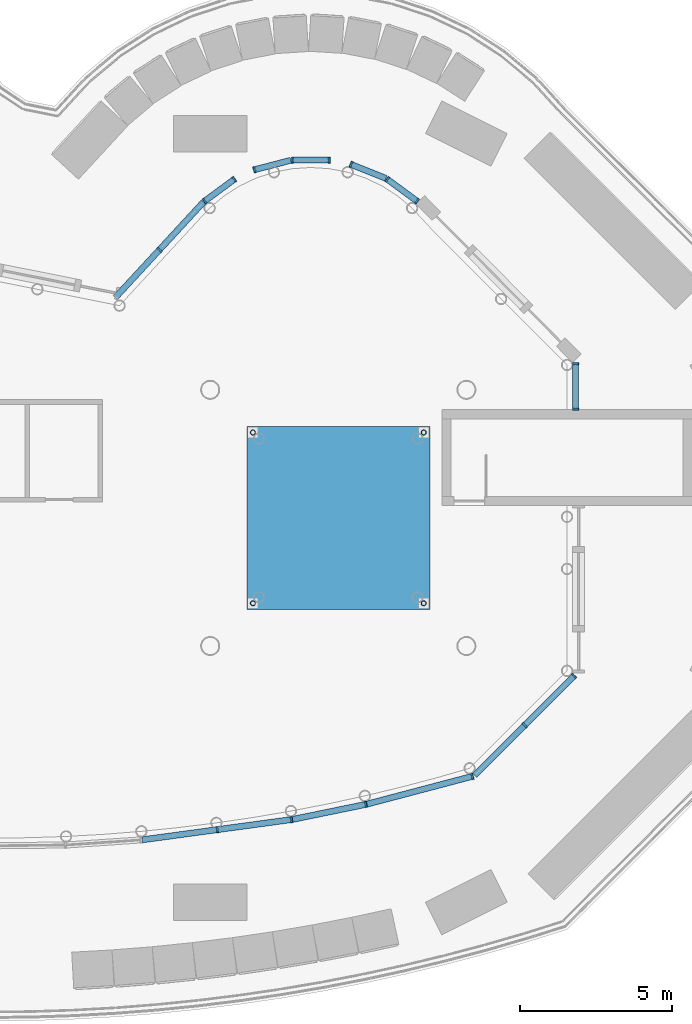
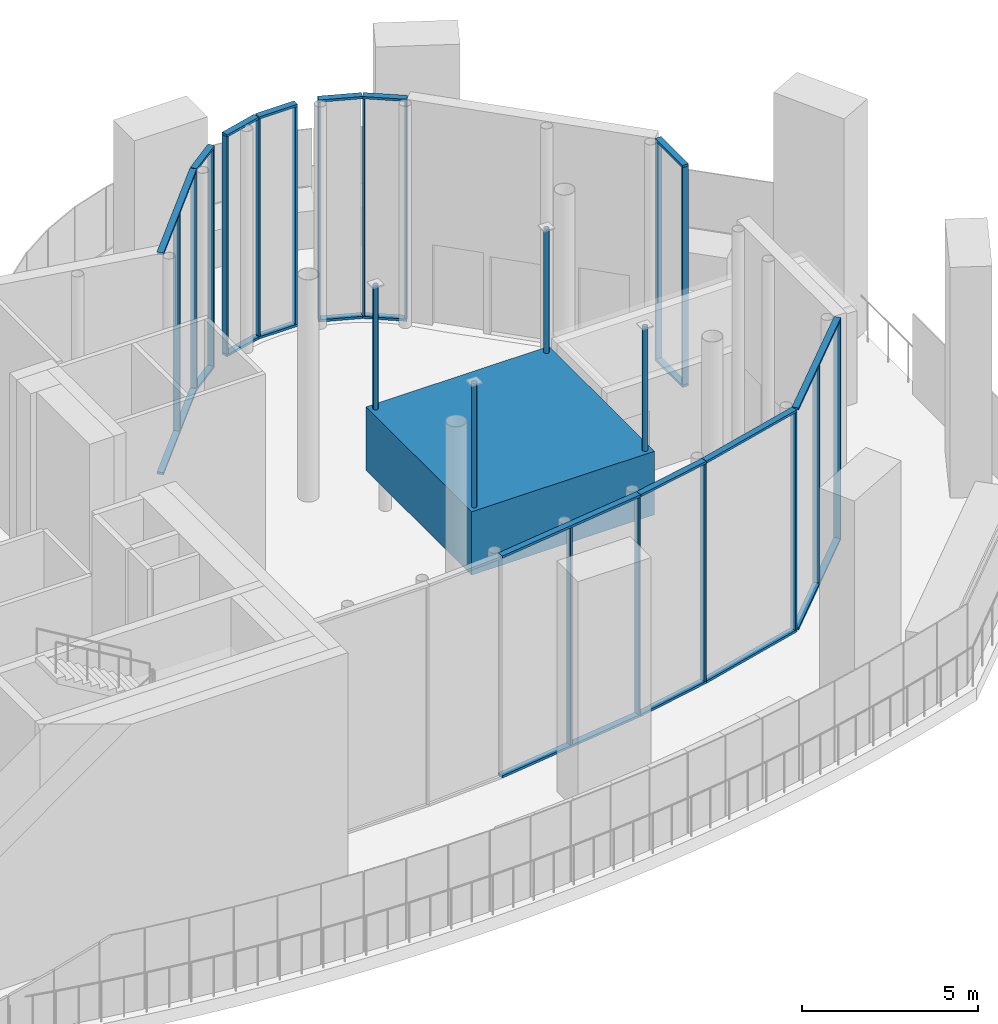
# One storey, part 4 of 14: 44 members, 11 elements without a shape of their own.
"""IFC4 building model written with IfcOpenShell, lengths in metres."""

from ifc_helpers import new_model, si_unit, direction, frame, origin, origin_2d, place, context, subcontext, project, spatial, rectangle, hollow_circle, extrude, material, material_profile, profile_set, type_object, element, aggregate, save


model = new_model("IFC4")

# Units and contexts
model_context = context("Model", 3, precision=1e-05, world=origin(), true_north=direction((0.0, 1.0)))
body_context = subcontext(model_context, "Body", "Model", "MODEL_VIEW")
ifc_project = project(units=[si_unit("LENGTHUNIT", "METRE"), si_unit("AREAUNIT", "SQUARE_METRE"), si_unit("VOLUMEUNIT", "CUBIC_METRE"), si_unit("PLANEANGLEUNIT", "RADIAN"), si_unit("MASSUNIT", "GRAM", prefix="KILO")], contexts=[model_context])

# Site, building, storey
site_placement = place(None, origin())
site = spatial("IfcSite", under=ifc_project, at=site_placement, CompositionType="ELEMENT")
building_placement = place(site_placement, origin())
building = spatial("IfcBuilding", under=site, at=building_placement, Name="Brevane Broadcast Tower", CompositionType="ELEMENT")
storey_placement = place(building_placement, frame((0.0, 0.0, 256.199951171875)))
storey = spatial("IfcBuildingStorey", under=building, at=storey_placement, Name="L65", CompositionType="ELEMENT", Elevation=256.199951171875)

# Curtain wall, members
ifc_material_1 = material(Name="Aluminium 6063-T6 bronze anodised", Category="aluminium")
curtain_wall_type = type_object("IfcCurtainWallType", Name="CW-5 curtain wall", PredefinedType="NOTDEFINED", material=ifc_material_1)
curtain_wall_1_placement = place(storey_placement, origin())
curtain_wall_1 = element("IfcCurtainWall", 1, at=curtain_wall_1_placement, inside=storey, type_object=curtain_wall_type, Name="CW-5 hall glazing 3", PredefinedType="NOTDEFINED")
ifc_material_profile_1 = material_profile(ifc_material_1, rectangle(XDim=0.199951171875, YDim=0.06005859375, at=origin_2d()), Name="RECT 60x200")
ifc_profile_set_1 = profile_set([ifc_material_profile_1], Name="Aluminium 6063-T6 bronze anodised")
member_type_1 = type_object("IfcMemberType", Name="CW-5 hall mullion 60x200", PredefinedType="MULLION", material=ifc_profile_set_1)
member_1_placement = place(storey_placement, frame((33.83349609375, 2.37841796875, 0.080078125), z_axis=(0.0, 0.0, 1.0), x_axis=(-0.134519745853, 0.990910913239, 0.0)))
member_1 = element("IfcMember", 2, at=member_1_placement, type_object=member_type_1, Name="CW-5 hall glazing mullion", PredefinedType="MULLION", context=body_context, shape_type="SweptSolid", body=[
    extrude(rectangle(XDim=0.199951171875, YDim=0.06005859375, at=origin_2d()), origin(), (0.0, 0.0, 1.0), 7.5400390625),
])
member_2_placement = place(storey_placement, frame((36.263671875, 2.708251953125, 0.080078125), z_axis=(0.0, 0.0, 1.0), x_axis=(-0.134519745853, 0.990910913239, 0.0)))
member_2 = element("IfcMember", 3, at=member_2_placement, type_object=member_type_1, Name="CW-5 hall glazing mullion", PredefinedType="MULLION", context=body_context, shape_type="SweptSolid", body=[
    extrude(rectangle(XDim=0.199951171875, YDim=0.06005859375, at=origin_2d()), origin(), (0.0, 0.0, 1.0), 7.5400390625),
])

# Curtain wall, member
curtain_wall_2_placement = place(storey_placement, origin())
curtain_wall_2 = element("IfcCurtainWall", 4, at=curtain_wall_2_placement, inside=storey, type_object=curtain_wall_type, Name="CW-5 hall glazing 4", PredefinedType="NOTDEFINED")
member_3_placement = place(storey_placement, frame((38.703125, 3.20654296875, 0.080078125), z_axis=(0.0, 0.0, 1.0), x_axis=(-0.201014334459, 0.979588299921, 0.0)))
member_3 = element("IfcMember", 5, at=member_3_placement, type_object=member_type_1, Name="CW-5 hall glazing mullion", PredefinedType="MULLION", context=body_context, shape_type="SweptSolid", body=[
    extrude(rectangle(XDim=0.199951171875, YDim=0.06005859375, at=origin_2d()), origin(), (0.0, 0.0, 1.0), 7.5400390625),
])

curtain_wall_3_placement = place(storey_placement, origin())
curtain_wall_3 = element("IfcCurtainWall", 6, at=curtain_wall_3_placement, inside=storey, type_object=curtain_wall_type, Name="CW-5 hall glazing 5", PredefinedType="NOTDEFINED")
member_4_placement = place(storey_placement, frame((42.1962890625, 4.1259765625, 0.080078125), z_axis=(0.0, 0.0, 1.0), x_axis=(-0.25503071782, 0.966932951641, 0.0)))
member_4 = element("IfcMember", 7, at=member_4_placement, type_object=member_type_1, Name="CW-5 hall glazing mullion", PredefinedType="MULLION", context=body_context, shape_type="SweptSolid", body=[
    extrude(rectangle(XDim=0.199951171875, YDim=0.06005859375, at=origin_2d()), origin(), (0.0, 0.0, 1.0), 7.5400390625),
])

# Curtain wall, members
curtain_wall_4_placement = place(storey_placement, origin())
curtain_wall_4 = element("IfcCurtainWall", 8, at=curtain_wall_4_placement, inside=storey, type_object=curtain_wall_type, Name="CW-5 hall glazing 6", PredefinedType="NOTDEFINED")
member_5_placement = place(storey_placement, frame((43.91064453125, 5.7998046875, 0.080078125), z_axis=(0.0, 0.0, 1.0), x_axis=(-0.707106781187, 0.707106781187, 0.0)))
member_5 = element("IfcMember", 9, at=member_5_placement, type_object=member_type_1, Name="CW-5 hall glazing mullion", PredefinedType="MULLION", context=body_context, shape_type="SweptSolid", body=[
    extrude(rectangle(XDim=0.199951171875, YDim=0.06005859375, at=origin_2d()), origin(), (0.0, 0.0, 1.0), 7.5400390625),
])
member_6_placement = place(storey_placement, frame((45.529541015625, 7.418701171875, 0.080078125), z_axis=(0.0, 0.0, 1.0), x_axis=(-0.707106781187, 0.707106781187, 0.0)))
member_6 = element("IfcMember", 10, at=member_6_placement, type_object=member_type_1, Name="CW-5 hall glazing mullion", PredefinedType="MULLION", context=body_context, shape_type="SweptSolid", body=[
    extrude(rectangle(XDim=0.199951171875, YDim=0.06005859375, at=origin_2d()), origin(), (0.0, 0.0, 1.0), 7.5400390625),
])

curtain_wall_5_placement = place(storey_placement, origin())
curtain_wall_5 = element("IfcCurtainWall", 11, at=curtain_wall_5_placement, inside=storey, type_object=curtain_wall_type, Name="CW-5 hall glazing 8", PredefinedType="NOTDEFINED")
member_7_placement = place(storey_placement, frame((45.580078125, 16.159912109375, 0.080078125), z_axis=(0.0, 0.0, 1.0), x_axis=(-1.0, 0.0, 0.0)))
member_7 = element("IfcMember", 12, at=member_7_placement, type_object=member_type_1, Name="CW-5 hall glazing mullion", PredefinedType="MULLION", context=body_context, shape_type="SweptSolid", body=[
    extrude(rectangle(XDim=0.199951171875, YDim=0.06005859375, at=origin_2d()), origin(), (0.0, 0.0, 1.0), 7.5400390625),
])
member_8_placement = place(storey_placement, frame((45.580078125, 17.6591796875, 0.080078125), z_axis=(0.0, 0.0, 1.0), x_axis=(-1.0, 0.0, 0.0)))
member_8 = element("IfcMember", 13, at=member_8_placement, type_object=member_type_1, Name="CW-5 hall glazing mullion", PredefinedType="MULLION", context=body_context, shape_type="SweptSolid", body=[
    extrude(rectangle(XDim=0.199951171875, YDim=0.06005859375, at=origin_2d()), origin(), (0.0, 0.0, 1.0), 7.5400390625),
])

curtain_wall_6_placement = place(storey_placement, origin())
curtain_wall_6 = element("IfcCurtainWall", 14, at=curtain_wall_6_placement, inside=storey, type_object=curtain_wall_type, Name="CW-5 hall glazing 10", PredefinedType="NOTDEFINED")
member_9_placement = place(storey_placement, frame((40.37841796875, 22.987548828125, 0.080078125), z_axis=(0.0, 0.0, 1.0), x_axis=(-0.593084771795, -0.80514002103, 0.0)))
member_9 = element("IfcMember", 15, at=member_9_placement, type_object=member_type_1, Name="CW-5 hall glazing mullion", PredefinedType="MULLION", context=body_context, shape_type="SweptSolid", body=[
    extrude(rectangle(XDim=0.199951171875, YDim=0.06005859375, at=origin_2d()), origin(), (0.0, 0.0, 1.0), 7.5400390625),
])
member_10_placement = place(storey_placement, frame((39.409423828125, 23.701171875, 0.080078125), z_axis=(0.0, 0.0, 1.0), x_axis=(-0.593084771795, -0.80514002103, 0.0)))
member_10 = element("IfcMember", 16, at=member_10_placement, type_object=member_type_1, Name="CW-5 hall glazing mullion", PredefinedType="MULLION", context=body_context, shape_type="SweptSolid", body=[
    extrude(rectangle(XDim=0.199951171875, YDim=0.06005859375, at=origin_2d()), origin(), (0.0, 0.0, 1.0), 7.5400390625),
])

# Curtain wall, member
curtain_wall_7_placement = place(storey_placement, origin())
curtain_wall_7 = element("IfcCurtainWall", 17, at=curtain_wall_7_placement, inside=storey, type_object=curtain_wall_type, Name="CW-5 hall glazing 11", PredefinedType="NOTDEFINED")
member_11_placement = place(storey_placement, frame((38.21826171875, 24.18994140625, 0.080078125), z_axis=(0.0, 0.0, 1.0), x_axis=(-0.371784251491, -0.92831916405, 0.0)))
member_11 = element("IfcMember", 18, at=member_11_placement, type_object=member_type_1, Name="CW-5 hall glazing mullion", PredefinedType="MULLION", context=body_context, shape_type="SweptSolid", body=[
    extrude(rectangle(XDim=0.199951171875, YDim=0.06005859375, at=origin_2d()), origin(), (0.0, 0.0, 1.0), 7.5400390625),
])

# Curtain wall, members
curtain_wall_8_placement = place(storey_placement, origin())
curtain_wall_8 = element("IfcCurtainWall", 19, at=curtain_wall_8_placement, inside=storey, type_object=curtain_wall_type, Name="CW-5 hall glazing 12", PredefinedType="NOTDEFINED")
member_12_placement = place(storey_placement, frame((37.501708984375, 24.328125, 0.080078125), z_axis=(0.0, 0.0, 1.0), x_axis=(0.0, -1.0, 0.0)))
member_12 = element("IfcMember", 20, at=member_12_placement, type_object=member_type_1, Name="CW-5 hall glazing mullion", PredefinedType="MULLION", context=body_context, shape_type="SweptSolid", body=[
    extrude(rectangle(XDim=0.199951171875, YDim=0.06005859375, at=origin_2d()), origin(), (0.0, 0.0, 1.0), 7.5400390625),
])
member_13_placement = place(storey_placement, frame((36.29833984375, 24.328125, 0.080078125), z_axis=(0.0, 0.0, 1.0), x_axis=(0.0, -1.0, 0.0)))
member_13 = element("IfcMember", 21, at=member_13_placement, type_object=member_type_1, Name="CW-5 hall glazing mullion", PredefinedType="MULLION", context=body_context, shape_type="SweptSolid", body=[
    extrude(rectangle(XDim=0.199951171875, YDim=0.06005859375, at=origin_2d()), origin(), (0.0, 0.0, 1.0), 7.5400390625),
])

# Curtain wall, member
curtain_wall_9_placement = place(storey_placement, origin())
curtain_wall_9 = element("IfcCurtainWall", 22, at=curtain_wall_9_placement, inside=storey, type_object=curtain_wall_type, Name="CW-5 hall glazing 13", PredefinedType="NOTDEFINED")
member_14_placement = place(storey_placement, frame((35.04931640625, 24.01513671875, 0.080078125), z_axis=(0.0, 0.0, 1.0), x_axis=(0.251232710819, -0.967926714692, 0.0)))
member_14 = element("IfcMember", 23, at=member_14_placement, type_object=member_type_1, Name="CW-5 hall glazing mullion", PredefinedType="MULLION", context=body_context, shape_type="SweptSolid", body=[
    extrude(rectangle(XDim=0.199951171875, YDim=0.06005859375, at=origin_2d()), origin(), (0.0, 0.0, 1.0), 7.5400390625),
])

# Curtain wall, members
curtain_wall_10_placement = place(storey_placement, origin())
curtain_wall_10 = element("IfcCurtainWall", 24, at=curtain_wall_10_placement, inside=storey, type_object=curtain_wall_type, Name="CW-5 hall glazing 14", PredefinedType="NOTDEFINED")
member_15_placement = place(storey_placement, frame((34.390380859375, 23.701171875, 0.080078125), z_axis=(0.0, 0.0, 1.0), x_axis=(0.593084771795, -0.80514002103, 0.0)))
member_15 = element("IfcMember", 25, at=member_15_placement, type_object=member_type_1, Name="CW-5 hall glazing mullion", PredefinedType="MULLION", context=body_context, shape_type="SweptSolid", body=[
    extrude(rectangle(XDim=0.199951171875, YDim=0.06005859375, at=origin_2d()), origin(), (0.0, 0.0, 1.0), 7.5400390625),
])
member_16_placement = place(storey_placement, frame((33.421630859375, 22.987548828125, 0.080078125), z_axis=(0.0, 0.0, 1.0), x_axis=(0.593084771795, -0.80514002103, 0.0)))
member_16 = element("IfcMember", 26, at=member_16_placement, type_object=member_type_1, Name="CW-5 hall glazing mullion", PredefinedType="MULLION", context=body_context, shape_type="SweptSolid", body=[
    extrude(rectangle(XDim=0.199951171875, YDim=0.06005859375, at=origin_2d()), origin(), (0.0, 0.0, 1.0), 7.5400390625),
])

# Curtain wall, member
curtain_wall_11_placement = place(storey_placement, origin())
curtain_wall_11 = element("IfcCurtainWall", 27, at=curtain_wall_11_placement, inside=storey, type_object=curtain_wall_type, Name="CW-5 hall glazing 15", PredefinedType="NOTDEFINED")
member_17_placement = place(storey_placement, frame((31.936767578125, 21.39013671875, 0.080078125), z_axis=(0.0, 0.0, 1.0), x_axis=(0.734785014559, -0.678300068097, 0.0)))
member_17 = element("IfcMember", 28, at=member_17_placement, type_object=member_type_1, Name="CW-5 hall glazing mullion", PredefinedType="MULLION", context=body_context, shape_type="SweptSolid", body=[
    extrude(rectangle(XDim=0.199951171875, YDim=0.06005859375, at=origin_2d()), origin(), (0.0, 0.0, 1.0), 7.5400390625),
])

# Member
ifc_material_profile_2 = material_profile(ifc_material_1, rectangle(XDim=0.199951171875, YDim=0.080078125, at=origin_2d()), Name="RECT 80x200")
ifc_profile_set_2 = profile_set([ifc_material_profile_2], Name="Aluminium 6063-T6 bronze anodised")
member_type_2 = type_object("IfcMemberType", Name="CW-5 hall transom 80x200", PredefinedType="USERDEFINED", material=ifc_profile_set_2)
member_18_placement = place(storey_placement, frame((31.37353515625, 2.04443359375, 0.0400390625), z_axis=(0.990908992662, 0.134533892612, 0.0), x_axis=(-0.134533892612, 0.990908992662, 0.0)))
member_18 = element("IfcMember", 29, at=member_18_placement, type_object=member_type_2, Name="CW-5 hall glazing transom", ObjectType="TRANSOM", PredefinedType="USERDEFINED", context=body_context, shape_type="SweptSolid", body=[
    extrude(rectangle(XDim=0.199951171875, YDim=0.080078125, at=origin_2d()), origin(), (0.0, 0.0, 1.0), 4.965087890625),
])

member_19_placement = place(storey_placement, frame((31.37353515625, 2.04443359375, 7.66015625), z_axis=(0.990908992662, 0.134533892612, 0.0), x_axis=(-0.134533892612, 0.990908992662, 0.0)))
member_19 = element("IfcMember", 30, at=member_19_placement, type_object=member_type_2, Name="CW-5 hall glazing transom", ObjectType="TRANSOM", PredefinedType="USERDEFINED", context=body_context, shape_type="SweptSolid", body=[
    extrude(rectangle(XDim=0.199951171875, YDim=0.080078125, at=origin_2d()), origin(), (0.0, 0.0, 1.0), 4.965087890625),
])

aggregate(curtain_wall_1, [member_1, member_2, member_18, member_19])

member_20_placement = place(storey_placement, frame((36.300048828125, 2.713623046875, 0.0400390625), z_axis=(0.979596744973, 0.200973175421, 0.0), x_axis=(-0.200973175421, 0.979596744973, 0.0)))
member_20 = element("IfcMember", 31, at=member_20_placement, type_object=member_type_2, Name="CW-5 hall glazing transom", ObjectType="TRANSOM", PredefinedType="USERDEFINED", context=body_context, shape_type="SweptSolid", body=[
    extrude(rectangle(XDim=0.199951171875, YDim=0.080078125, at=origin_2d()), origin(), (0.0, 0.0, 1.0), 2.483154296875),
])

member_21_placement = place(storey_placement, frame((36.300048828125, 2.713623046875, 7.66015625), z_axis=(0.979596744973, 0.200973175421, 0.0), x_axis=(-0.200973175421, 0.979596744973, 0.0)))
member_21 = element("IfcMember", 32, at=member_21_placement, type_object=member_type_2, Name="CW-5 hall glazing transom", ObjectType="TRANSOM", PredefinedType="USERDEFINED", context=body_context, shape_type="SweptSolid", body=[
    extrude(rectangle(XDim=0.199951171875, YDim=0.080078125, at=origin_2d()), origin(), (0.0, 0.0, 1.0), 2.483154296875),
])

aggregate(curtain_wall_2, [member_3, member_20, member_21])

member_22_placement = place(storey_placement, frame((38.73779296875, 3.2138671875, 0.0400390625), z_axis=(0.966927952934, 0.255049669349, 0.0), x_axis=(-0.255049669349, 0.966927952934, 0.0)))
member_22 = element("IfcMember", 33, at=member_22_placement, type_object=member_type_2, Name="CW-5 hall glazing transom", ObjectType="TRANSOM", PredefinedType="USERDEFINED", context=body_context, shape_type="SweptSolid", body=[
    extrude(rectangle(XDim=0.199951171875, YDim=0.080078125, at=origin_2d()), origin(), (0.0, 0.0, 1.0), 3.60693359375),
])

member_23_placement = place(storey_placement, frame((38.73779296875, 3.2138671875, 7.66015625), z_axis=(0.966927952934, 0.255049669349, 0.0), x_axis=(-0.255049669349, 0.966927952934, 0.0)))
member_23 = element("IfcMember", 34, at=member_23_placement, type_object=member_type_2, Name="CW-5 hall glazing transom", ObjectType="TRANSOM", PredefinedType="USERDEFINED", context=body_context, shape_type="SweptSolid", body=[
    extrude(rectangle(XDim=0.199951171875, YDim=0.080078125, at=origin_2d()), origin(), (0.0, 0.0, 1.0), 3.60693359375),
])

aggregate(curtain_wall_3, [member_4, member_22, member_23])

member_24_placement = place(storey_placement, frame((42.2705078125, 4.15966796875, 0.0400390625), z_axis=(0.707106781187, 0.707106781187, 0.0), x_axis=(-0.707106781187, 0.707106781187, 0.0)))
member_24 = element("IfcMember", 35, at=member_24_placement, type_object=member_type_2, Name="CW-5 hall glazing transom", ObjectType="TRANSOM", PredefinedType="USERDEFINED", context=body_context, shape_type="SweptSolid", body=[
    extrude(rectangle(XDim=0.199951171875, YDim=0.080078125, at=origin_2d()), origin(), (0.0, 0.0, 1.0), 4.638916015625),
])

member_25_placement = place(storey_placement, frame((42.2705078125, 4.15966796875, 7.66015625), z_axis=(0.707106781187, 0.707106781187, 0.0), x_axis=(-0.707106781187, 0.707106781187, 0.0)))
member_25 = element("IfcMember", 36, at=member_25_placement, type_object=member_type_2, Name="CW-5 hall glazing transom", ObjectType="TRANSOM", PredefinedType="USERDEFINED", context=body_context, shape_type="SweptSolid", body=[
    extrude(rectangle(XDim=0.199951171875, YDim=0.080078125, at=origin_2d()), origin(), (0.0, 0.0, 1.0), 4.638916015625),
])

aggregate(curtain_wall_4, [member_5, member_6, member_24, member_25])

member_26_placement = place(storey_placement, frame((45.580078125, 16.1298828125, 0.0400390625), z_axis=(0.0, 1.0, 0.0), x_axis=(-1.0, 0.0, 0.0)))
member_26 = element("IfcMember", 37, at=member_26_placement, type_object=member_type_2, Name="CW-5 hall glazing transom", ObjectType="TRANSOM", PredefinedType="USERDEFINED", context=body_context, shape_type="SweptSolid", body=[
    extrude(rectangle(XDim=0.199951171875, YDim=0.080078125, at=origin_2d()), origin(), (0.0, 0.0, 1.0), 1.559326171875),
])

member_27_placement = place(storey_placement, frame((45.580078125, 16.1298828125, 7.66015625), z_axis=(0.0, 1.0, 0.0), x_axis=(-1.0, 0.0, 0.0)))
member_27 = element("IfcMember", 38, at=member_27_placement, type_object=member_type_2, Name="CW-5 hall glazing transom", ObjectType="TRANSOM", PredefinedType="USERDEFINED", context=body_context, shape_type="SweptSolid", body=[
    extrude(rectangle(XDim=0.199951171875, YDim=0.080078125, at=origin_2d()), origin(), (0.0, 0.0, 1.0), 1.559326171875),
])

aggregate(curtain_wall_5, [member_7, member_8, member_26, member_27])

member_28_placement = place(storey_placement, frame((40.402587890625, 22.9697265625, 0.0400390625), z_axis=(-0.805186950029, 0.593021058229, 0.0), x_axis=(-0.593021058229, -0.805186950029, 0.0)))
member_28 = element("IfcMember", 39, at=member_28_placement, type_object=member_type_2, Name="CW-5 hall glazing transom", ObjectType="TRANSOM", PredefinedType="USERDEFINED", context=body_context, shape_type="SweptSolid", body=[
    extrude(rectangle(XDim=0.199951171875, YDim=0.080078125, at=origin_2d()), origin(), (0.0, 0.0, 1.0), 1.263427734375),
])

member_29_placement = place(storey_placement, frame((40.402587890625, 22.9697265625, 7.66015625), z_axis=(-0.805186950029, 0.593021058229, 0.0), x_axis=(-0.593021058229, -0.805186950029, 0.0)))
member_29 = element("IfcMember", 40, at=member_29_placement, type_object=member_type_2, Name="CW-5 hall glazing transom", ObjectType="TRANSOM", PredefinedType="USERDEFINED", context=body_context, shape_type="SweptSolid", body=[
    extrude(rectangle(XDim=0.199951171875, YDim=0.080078125, at=origin_2d()), origin(), (0.0, 0.0, 1.0), 1.263427734375),
])

aggregate(curtain_wall_6, [member_9, member_10, member_28, member_29])

member_30_placement = place(storey_placement, frame((39.36328125, 23.7314453125, 0.0400390625), z_axis=(-0.928316683475, 0.371790445255, 0.0), x_axis=(-0.371790445255, -0.928316683475, 0.0)))
member_30 = element("IfcMember", 41, at=member_30_placement, type_object=member_type_2, Name="CW-5 hall glazing transom", ObjectType="TRANSOM", PredefinedType="USERDEFINED", context=body_context, shape_type="SweptSolid", body=[
    extrude(rectangle(XDim=0.199951171875, YDim=0.080078125, at=origin_2d()), origin(), (0.0, 0.0, 1.0), 1.263427734375),
])

member_31_placement = place(storey_placement, frame((39.36328125, 23.7314453125, 7.66015625), z_axis=(-0.928316683475, 0.371790445255, 0.0), x_axis=(-0.371790445255, -0.928316683475, 0.0)))
member_31 = element("IfcMember", 42, at=member_31_placement, type_object=member_type_2, Name="CW-5 hall glazing transom", ObjectType="TRANSOM", PredefinedType="USERDEFINED", context=body_context, shape_type="SweptSolid", body=[
    extrude(rectangle(XDim=0.199951171875, YDim=0.080078125, at=origin_2d()), origin(), (0.0, 0.0, 1.0), 1.263427734375),
])

aggregate(curtain_wall_7, [member_11, member_30, member_31])

member_32_placement = place(storey_placement, frame((37.53173828125, 24.328125, 0.0400390625), z_axis=(-1.0, 0.0, 0.0), x_axis=(0.0, -1.0, 0.0)))
member_32 = element("IfcMember", 43, at=member_32_placement, type_object=member_type_2, Name="CW-5 hall glazing transom", ObjectType="TRANSOM", PredefinedType="USERDEFINED", context=body_context, shape_type="SweptSolid", body=[
    extrude(rectangle(XDim=0.199951171875, YDim=0.080078125, at=origin_2d()), origin(), (0.0, 0.0, 1.0), 1.263427734375),
])

member_33_placement = place(storey_placement, frame((37.53173828125, 24.328125, 7.66015625), z_axis=(-1.0, 0.0, 0.0), x_axis=(0.0, -1.0, 0.0)))
member_33 = element("IfcMember", 44, at=member_33_placement, type_object=member_type_2, Name="CW-5 hall glazing transom", ObjectType="TRANSOM", PredefinedType="USERDEFINED", context=body_context, shape_type="SweptSolid", body=[
    extrude(rectangle(XDim=0.199951171875, YDim=0.080078125, at=origin_2d()), origin(), (0.0, 0.0, 1.0), 1.263427734375),
])

aggregate(curtain_wall_8, [member_12, member_13, member_32, member_33])

member_34_placement = place(storey_placement, frame((36.2431640625, 24.324951171875, 0.0400390625), z_axis=(-0.967932536264, -0.251210280923, 0.0), x_axis=(0.251210280923, -0.967932536264, 0.0)))
member_34 = element("IfcMember", 45, at=member_34_placement, type_object=member_type_2, Name="CW-5 hall glazing transom", ObjectType="TRANSOM", PredefinedType="USERDEFINED", context=body_context, shape_type="SweptSolid", body=[
    extrude(rectangle(XDim=0.199951171875, YDim=0.080078125, at=origin_2d()), origin(), (0.0, 0.0, 1.0), 1.263427734375),
])

member_35_placement = place(storey_placement, frame((36.2431640625, 24.324951171875, 7.66015625), z_axis=(-0.967932536264, -0.251210280923, 0.0), x_axis=(0.251210280923, -0.967932536264, 0.0)))
member_35 = element("IfcMember", 46, at=member_35_placement, type_object=member_type_2, Name="CW-5 hall glazing transom", ObjectType="TRANSOM", PredefinedType="USERDEFINED", context=body_context, shape_type="SweptSolid", body=[
    extrude(rectangle(XDim=0.199951171875, YDim=0.080078125, at=origin_2d()), origin(), (0.0, 0.0, 1.0), 1.263427734375),
])

aggregate(curtain_wall_9, [member_14, member_34, member_35])

member_36_placement = place(storey_placement, frame((34.41455078125, 23.718994140625, 0.0400390625), z_axis=(-0.805118980413, -0.593113334346, 0.0), x_axis=(0.593113334346, -0.805118980413, 0.0)))
member_36 = element("IfcMember", 47, at=member_36_placement, type_object=member_type_2, Name="CW-5 hall glazing transom", ObjectType="TRANSOM", PredefinedType="USERDEFINED", context=body_context, shape_type="SweptSolid", body=[
    extrude(rectangle(XDim=0.199951171875, YDim=0.080078125, at=origin_2d()), origin(), (0.0, 0.0, 1.0), 1.26318359375),
])

member_37_placement = place(storey_placement, frame((34.41455078125, 23.718994140625, 7.66015625), z_axis=(-0.805118980413, -0.593113334346, 0.0), x_axis=(0.593113334346, -0.805118980413, 0.0)))
member_37 = element("IfcMember", 48, at=member_37_placement, type_object=member_type_2, Name="CW-5 hall glazing transom", ObjectType="TRANSOM", PredefinedType="USERDEFINED", context=body_context, shape_type="SweptSolid", body=[
    extrude(rectangle(XDim=0.199951171875, YDim=0.080078125, at=origin_2d()), origin(), (0.0, 0.0, 1.0), 1.26318359375),
])

aggregate(curtain_wall_10, [member_15, member_16, member_36, member_37])

member_38_placement = place(storey_placement, frame((33.38330078125, 22.95703125, 0.0400390625), z_axis=(-0.678291990513, -0.734792471114, 0.0), x_axis=(0.734792471114, -0.678291990513, 0.0)))
member_38 = element("IfcMember", 49, at=member_38_placement, type_object=member_type_2, Name="CW-5 hall glazing transom", ObjectType="TRANSOM", PredefinedType="USERDEFINED", context=body_context, shape_type="SweptSolid", body=[
    extrude(rectangle(XDim=0.199951171875, YDim=0.080078125, at=origin_2d()), origin(), (0.0, 0.0, 1.0), 4.264892578125),
])

member_39_placement = place(storey_placement, frame((33.38330078125, 22.95703125, 7.66015625), z_axis=(-0.678291990513, -0.734792471114, 0.0), x_axis=(0.734792471114, -0.678291990513, 0.0)))
member_39 = element("IfcMember", 50, at=member_39_placement, type_object=member_type_2, Name="CW-5 hall glazing transom", ObjectType="TRANSOM", PredefinedType="USERDEFINED", context=body_context, shape_type="SweptSolid", body=[
    extrude(rectangle(XDim=0.199951171875, YDim=0.080078125, at=origin_2d()), origin(), (0.0, 0.0, 1.0), 4.264892578125),
])

aggregate(curtain_wall_11, [member_17, member_38, member_39])

# Members
ifc_material_2 = material(Name="Steel S355", Category="steel")
ifc_material_profile_3 = material_profile(ifc_material_2, hollow_circle(Radius=0.084228515625, WallThickness=0.012451171875, at=origin_2d()), Name="CHS 168.3x12.5")
ifc_profile_set_3 = profile_set([ifc_material_profile_3], Name="Steel S355")
member_type_3 = type_object("IfcMemberType", Name="TMD restraint rod CHS 168.3x12.5", PredefinedType="USERDEFINED", material=ifc_profile_set_3)
for number, where, z_axis, x_axis, name in (
    (51, (35.0, 9.800048828125, 3.400146484375), (0.0, 0.0, 1.0), (1.0, 0.0, 0.0), "Tuned mass damper restraint rod 1"),
    (52, (40.60009765625, 9.800048828125, 3.400146484375), (0.0, 0.0, 1.0), (1.0, 0.0, 0.0), "Tuned mass damper restraint rod 2"),
    (53, (40.60009765625, 15.39990234375, 3.400146484375), (0.0, 0.0, 1.0), (1.0, 0.0, 0.0), "Tuned mass damper restraint rod 3"),
    (54, (35.0, 15.39990234375, 3.400146484375), (0.0, 0.0, 1.0), (1.0, 0.0, 0.0), "Tuned mass damper restraint rod 4"),
):
    element("IfcMember", number, at=place(storey_placement, frame(where, z_axis=z_axis, x_axis=x_axis)), inside=storey, type_object=member_type_3, Name=name, ObjectType="TMD ROD", PredefinedType="USERDEFINED", context=body_context, shape_type="SweptSolid", body=[
        extrude(hollow_circle(Radius=0.084228515625, WallThickness=0.012451171875, at=origin_2d()), origin(), (0.0, 0.0, 1.0), 4.2998046875),
    ])
ifc_material_profile_4 = material_profile(ifc_material_2, rectangle(XDim=6.0, YDim=6.0, at=origin_2d()), Name="RECT 6000x6000")
ifc_profile_set_4 = profile_set([ifc_material_profile_4], Name="Steel S355")
member_type_4 = type_object("IfcMemberType", Name="TMD steel mass 6000x6000", PredefinedType="USERDEFINED", material=ifc_profile_set_4)
member_40_placement = place(storey_placement, frame((37.800048828125, 12.60009765625, 1.199951171875), z_axis=(0.0, 0.0, 1.0), x_axis=(1.0, 0.0, 0.0)))
element("IfcMember", 55, at=member_40_placement, inside=storey, type_object=member_type_4, Name="Tuned mass damper mass", ObjectType="TMD MASS", PredefinedType="USERDEFINED", context=body_context, shape_type="SweptSolid", body=[
    extrude(rectangle(XDim=6.0, YDim=6.0, at=origin_2d()), origin(), (0.0, 0.0, 1.0), 2.2001953125),
])

save(model, "model.ifc")
